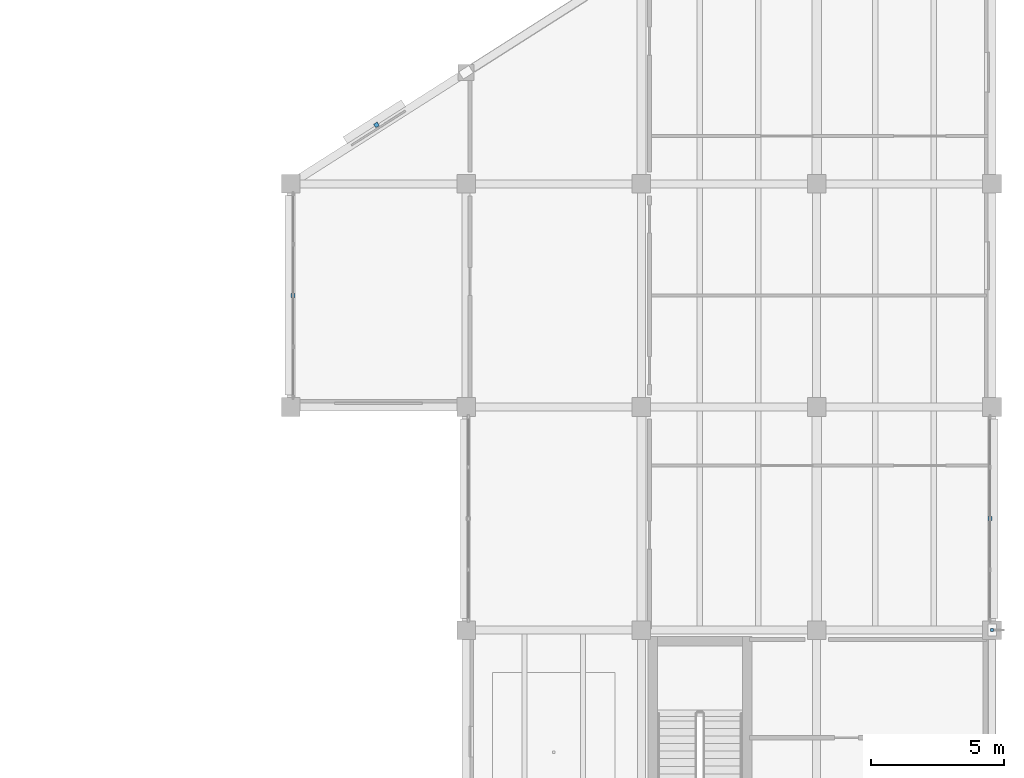
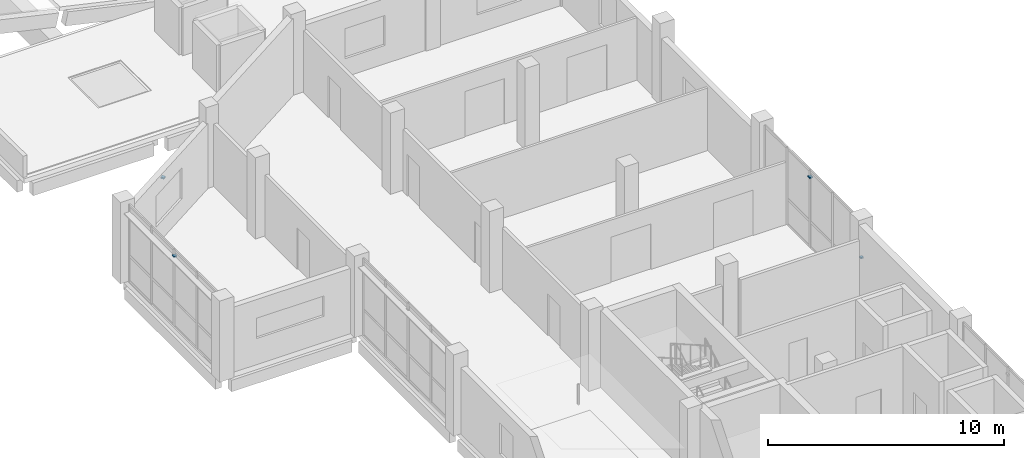
# One storey, part 43 of 47: 4 discrete accessories.
"""IFC4 building model written with IfcOpenShell, lengths in metres."""

import ifcopenshell
import ifcopenshell.guid

model = None  # the IFC model being written
_history = None  # IfcOwnerHistory: only IFC2X3 demands one
_inside = {}  # id of a spatial element -> (the spatial element, [elements in it])
_under = {}  # id of a project, library or spatial element -> (it, [spatial elements below it])
_declared = {}  # id of a project -> (the project, [libraries it declares])
_typed = {}  # id of a type object -> (the type object, [elements of that type])
_made_of = {}  # id of a material, layer set ... -> (it, [elements and type objects made of it])


def new_model(schema):
    """Start an empty IFC model of exactly this schema.

    Asked for "IFC4X3", IfcOpenShell would pick the latest addendum, in which some entities
    have other attributes; the version numbers below select the first issue.
    IFC2X3 requires an IfcOwnerHistory on every rooted entity: one is made here for all.
    """
    global model, _history
    if schema == "IFC4X3":
        model = ifcopenshell.file(schema_version=(4, 3, 0, 0))
    else:
        model = ifcopenshell.file(schema=schema)
    _inside.clear()
    _under.clear()
    _declared.clear()
    _typed.clear()
    _made_of.clear()
    _history = None
    if model.schema == "IFC2X3":
        org = make("IfcOrganization", Name="unknown")
        user = make(
            "IfcPersonAndOrganization",
            ThePerson=make("IfcPerson", FamilyName="unknown"),
            TheOrganization=org,
        )
        app = make(
            "IfcApplication",
            ApplicationDeveloper=org,
            Version="unknown",
            ApplicationFullName="unknown",
            ApplicationIdentifier="unknown",
        )
        _history = make(
            "IfcOwnerHistory",
            OwningUser=user,
            OwningApplication=app,
            ChangeAction="ADDED",
            CreationDate=0,
        )
    return model


def make(cls, **values):
    """One entity of the class cls with the attributes given. An attribute that is None is left unset."""
    return model.create_entity(
        cls, **{name: value for name, value in values.items() if value is not None}
    )


def rooted(cls, **values):
    """An entity with a GlobalId (a new one), such as an element, a storey or a relation."""
    return make(cls, GlobalId=ifcopenshell.guid.new(), OwnerHistory=_history, **values)


def si_unit(unit_type, name, prefix=None):
    """IfcSIUnit, for example si_unit("LENGTHUNIT", "METRE", prefix="MILLI")."""
    return make("IfcSIUnit", UnitType=unit_type, Prefix=prefix, Name=name)


def assignment(units):
    """IfcUnitAssignment: the units of a project."""
    return None if units is None else make("IfcUnitAssignment", Units=units)


def point(xyz):
    """IfcCartesianPoint."""
    return None if xyz is None else make("IfcCartesianPoint", Coordinates=xyz)


def direction(xyz):
    """IfcDirection."""
    return None if xyz is None else make("IfcDirection", DirectionRatios=xyz)


def frame(location, z_axis=None, x_axis=None):
    """IfcAxis2Placement3D, a coordinate frame: its origin and axes. An axis left out is left unset."""
    return make(
        "IfcAxis2Placement3D",
        Location=point(location),
        Axis=direction(z_axis),
        RefDirection=direction(x_axis),
    )


def frame_2d(location, x_axis=None):
    """IfcAxis2Placement2D, a coordinate frame in the plane: its origin and x axis."""
    return make(
        "IfcAxis2Placement2D", Location=point(location), RefDirection=direction(x_axis)
    )


def origin():
    """The frame at (0, 0, 0) with its axes left unset."""
    return frame((0.0, 0.0, 0.0))


def origin_2d():
    """The frame at (0, 0) in the plane with its x axis left unset."""
    return frame_2d((0.0, 0.0))


def place(relative_to, where):
    """IfcLocalPlacement: puts the frame where relative to a parent placement (None: the world)."""
    return make(
        "IfcLocalPlacement", PlacementRelTo=relative_to, RelativePlacement=where
    )


def context(
    kind, dimensions, precision=None, world=None, true_north=None, identifier=None
):
    """IfcGeometricRepresentationContext, for example the 3D "Model" context."""
    return make(
        "IfcGeometricRepresentationContext",
        ContextIdentifier=identifier,
        ContextType=kind,
        CoordinateSpaceDimension=dimensions,
        Precision=precision,
        WorldCoordinateSystem=world,
        TrueNorth=true_north,
    )


def subcontext(parent, identifier, kind, view, scale=None):
    """IfcGeometricRepresentationSubContext, for example "Body" below "Model"."""
    return make(
        "IfcGeometricRepresentationSubContext",
        ContextIdentifier=identifier,
        ContextType=kind,
        ParentContext=parent,
        TargetScale=scale,
        TargetView=view,
    )


def project(units=None, contexts=None):
    """IfcProject with its units and contexts."""
    return rooted(
        "IfcProject",
        Name="project",
        RepresentationContexts=contexts,
        UnitsInContext=assignment(units),
    )


def spatial(cls, under=None, at=None, **own):
    """A site, building, storey or space (cls), placed at a placement, below another one or the project."""
    s = rooted(cls, ObjectPlacement=at, **own)
    if under is not None:
        _under.setdefault(under.id(), (under, []))[1].append(s)
    return s


def profile(cls, at=None, kind="AREA", **sizes):
    """A parametric profile (cls). Its sizes go by their IFC names, for example OverallWidth=200.0."""
    return make(cls, ProfileType=kind, Position=at, **sizes)


def rectangle(**sizes):
    """IfcRectangleProfileDef."""
    return profile("IfcRectangleProfileDef", **sizes)


def extrude(swept, where, along, depth):
    """IfcExtrudedAreaSolid: the profile swept, set in the frame where, extruded along a direction by depth."""
    return make(
        "IfcExtrudedAreaSolid",
        SweptArea=swept,
        Position=where,
        ExtrudedDirection=direction(along),
        Depth=depth,
    )


def shape(context_of_items, identifier, shape_type, items):
    """IfcShapeRepresentation: the items that make up one representation, for example the "Body"."""
    return make(
        "IfcShapeRepresentation",
        ContextOfItems=context_of_items,
        RepresentationIdentifier=identifier,
        RepresentationType=shape_type,
        Items=items,
    )


def material(Name=None, Category=None):
    """IfcMaterial."""
    return make("IfcMaterial", Name=Name, Category=Category)


def layer(
    of_material, thickness, ventilated=None, Name=None, Category=None, Priority=None
):
    """IfcMaterialLayer: one layer of a wall or slab, of a material (None: an air gap)."""
    return make(
        "IfcMaterialLayer",
        Material=of_material,
        LayerThickness=thickness,
        IsVentilated=ventilated,
        Name=Name,
        Category=Category,
        Priority=Priority,
    )


def layer_set(layers, Name=None):
    """IfcMaterialLayerSet."""
    return make("IfcMaterialLayerSet", MaterialLayers=layers, LayerSetName=Name)


def made_of(thing, what):
    """Note that an element or type object is made of a material, layer set ...; save() writes the relation."""
    if what is not None:
        _made_of.setdefault(what.id(), (what, []))[1].append(thing)
    return thing


def type_object(cls, material=None, **own):
    """A type object (cls), such as IfcWallType, which elements share."""
    return made_of(rooted(cls, **own), material)


def element(
    cls,
    number,
    at=None,
    inside=None,
    cuts=None,
    type_object=None,
    material=None,
    context=None,
    identifier="Body",
    shape_type=None,
    held_by="IfcProductDefinitionShape",
    body=None,
    shapes=None,
    **own,
):
    """One element of the class cls, such as IfcWall. Its Tag is "e" and its number.

    at: its placement. inside: the storey or other place that contains it. cuts: it is an
    opening in that element (IfcRelVoidsElement). A single representation is given by context,
    identifier, shape_type and body (its items); several are given by shapes. held_by: the class
    of the entity that holds the representations. save() writes the other relations.
    """
    e = rooted(cls, Tag="e%d" % number, ObjectPlacement=at, **own)
    if body is not None:
        shapes = [shape(context, identifier, shape_type, body)]
    if shapes is not None:
        e.Representation = make(held_by, Representations=shapes)
    if inside is not None:
        _inside.setdefault(inside.id(), (inside, []))[1].append(e)
    if cuts is not None:
        rooted(
            "IfcRelVoidsElement", RelatingBuildingElement=cuts, RelatedOpeningElement=e
        )
    if type_object is not None:
        _typed.setdefault(type_object.id(), (type_object, []))[1].append(e)
    return made_of(e, material)


def aggregate(whole, parts):
    """IfcRelAggregates: a whole, such as a stair, and the parts it consists of."""
    return rooted("IfcRelAggregates", RelatingObject=whole, RelatedObjects=parts)


def save(model, path):
    """Write the relations noted so far, then the file.

    IfcRelAggregates (storeys below a building ...), IfcRelContainedInSpatialStructure (elements
    in a storey), IfcRelDefinesByType, IfcRelAssociatesMaterial and IfcRelDeclares: one each for
    every whole, place, type object, material and project.
    """
    for whole, parts in _under.values():
        aggregate(whole, parts)
    for where, things in _inside.values():
        rooted(
            "IfcRelContainedInSpatialStructure",
            RelatedElements=things,
            RelatingStructure=where,
        )
    for kind, things in _typed.values():
        rooted("IfcRelDefinesByType", RelatedObjects=things, RelatingType=kind)
    for what, things in _made_of.values():
        rooted("IfcRelAssociatesMaterial", RelatedObjects=things, RelatingMaterial=what)
    for by, libraries in _declared.values():
        rooted("IfcRelDeclares", RelatingContext=by, RelatedDefinitions=libraries)
    model.write(path)


model = new_model("IFC4")

# Units and contexts
model_context = context("Model", 3, precision=1e-05, world=origin(), true_north=direction((0.0, 1.0)))
body_context = subcontext(model_context, "Body", "Model", "MODEL_VIEW")
ifc_project = project(units=[si_unit("LENGTHUNIT", "METRE"), si_unit("AREAUNIT", "SQUARE_METRE"), si_unit("VOLUMEUNIT", "CUBIC_METRE"), si_unit("PLANEANGLEUNIT", "RADIAN"), si_unit("MASSUNIT", "GRAM", prefix="KILO")], contexts=[model_context])

# Site, building, storey
site_placement = place(None, origin())
site = spatial("IfcSite", under=ifc_project, at=site_placement, CompositionType="ELEMENT")
building_placement = place(site_placement, origin())
building = spatial("IfcBuilding", under=site, at=building_placement, Name="Qaldarim Faculty of Natural and Applied Sciences", CompositionType="ELEMENT")
storey_placement = place(building_placement, frame((0.0, 0.0, 22.800048828125)))
storey = spatial("IfcBuildingStorey", under=building, at=storey_placement, Name="L05", CompositionType="ELEMENT", Elevation=22.800048828125)

# Discrete accessories
ifc_material = material(Name="Architectural stainless steel 316", Category="steel")
ifc_layer = layer(ifc_material, 0.080078125)
ifc_layer_set = layer_set([ifc_layer], Name="Architectural stainless steel 316")
discrete_accessory_type = type_object("IfcDiscreteAccessoryType", Name="FacadeBracket-SS120", PredefinedType="BRACKET", material=ifc_layer_set)
for number, where, z_axis, x_axis, name in (
    (1, (151.8798828125, 46.199951171875, 3.58984375), (0.0, 0.0, 1.0), (0.0, 1.0, 0.0), "Solar louvre support bracket SHD-L05-W-X24Y06"),
    (2, (178.1201171875, 37.800048828125, 3.58984375), (0.0, 0.0, 1.0), (0.0, 1.0, 0.0), "Solar louvre support bracket SHD-L05-E-X27Y05"),
    (3, (155.02490234375, 52.6201171875, 2.659912109375), (0.0, 0.0, 1.0), (0.843775713382, 0.536695952571, 0.0), "Oblique solar louvre bracket SHD-OBL-NW-L05-1"),
):
    element("IfcDiscreteAccessory", number, at=place(storey_placement, frame(where, z_axis=z_axis, x_axis=x_axis)), inside=storey, type_object=discrete_accessory_type, Name=name, PredefinedType="BRACKET", context=body_context, shape_type="SweptSolid", body=[
        extrude(rectangle(XDim=0.159912109375, YDim=0.159912109375, at=origin_2d()), origin(), (0.0, 0.0, 1.0), 0.080078125),
    ])
discrete_accessory_placement = place(storey_placement, frame((178.199951171875, 33.60009765625, 1.949951171875), z_axis=(0.0, 0.0, 1.0), x_axis=(1.0, 0.0, 0.0)))
element("IfcDiscreteAccessory", 4, at=discrete_accessory_placement, inside=storey, type_object=discrete_accessory_type, Name="Tower fin bracket FIN-V5E-L05-Y05", PredefinedType="BRACKET", context=body_context, shape_type="SweptSolid", body=[
    extrude(rectangle(XDim=0.1201171875, YDim=0.1201171875, at=origin_2d()), origin(), (0.0, 0.0, 1.0), 0.080078125),
])

save(model, "model.ifc")
